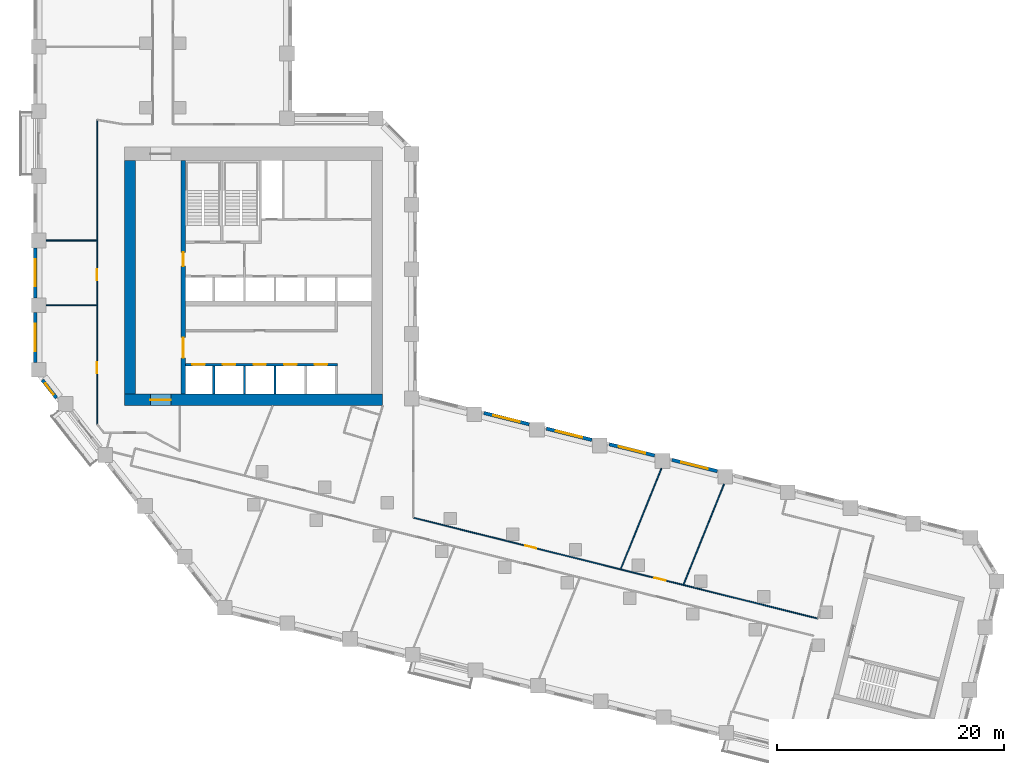
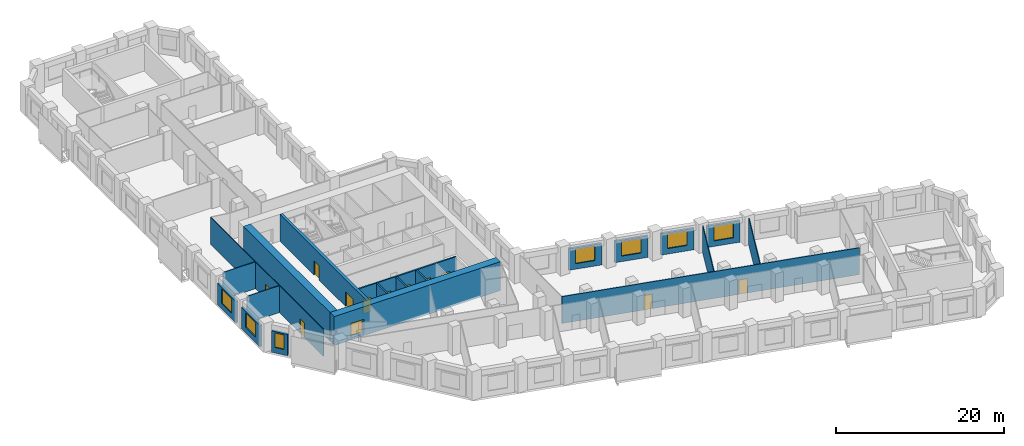
# One storey, part 4 of 10: 20 walls, 12 doors, 7 windows, 19 openings.
"""IFC4 building model written with IfcOpenShell, lengths in metres."""

from ifc_helpers import new_model, si_unit, direction, frame, frame_2d, origin, place, context, subcontext, project, spatial, rectangle, extrude, material, layer, layer_set, type_object, element, fill, save


model = new_model("IFC4")

# Units and contexts
model_context = context("Model", 3, precision=1e-05, world=origin(), true_north=direction((0.0, 1.0)))
body_context = subcontext(model_context, "Body", "Model", "MODEL_VIEW")
ifc_project = project(units=[si_unit("LENGTHUNIT", "METRE"), si_unit("AREAUNIT", "SQUARE_METRE"), si_unit("VOLUMEUNIT", "CUBIC_METRE"), si_unit("PLANEANGLEUNIT", "RADIAN"), si_unit("MASSUNIT", "GRAM", prefix="KILO")], contexts=[model_context])

# Site, building, storey
site_placement = place(None, origin())
site = spatial("IfcSite", under=ifc_project, at=site_placement, CompositionType="ELEMENT")
building_placement = place(site_placement, origin())
building = spatial("IfcBuilding", under=site, at=building_placement, Name="Meshkara Civic Tower", CompositionType="ELEMENT")
storey_placement = place(building_placement, frame((0.0, 0.0, 126.60009765625)))
storey = spatial("IfcBuildingStorey", under=building, at=storey_placement, Name="L28", CompositionType="ELEMENT", Elevation=126.60009765625)

# Wall, opening, door
ifc_material_1 = material(Name="Concrete C70", Category="concrete")
ifc_layer_1 = layer(ifc_material_1, 1.0)
ifc_layer_set_1 = layer_set([ifc_layer_1], Name="Core ring wall 1000 C70")
wall_type_1 = type_object("IfcWallType", Name="Core ring wall 1000 C70", PredefinedType="SHEAR", material=ifc_layer_set_1)
wall_1_placement = place(storey_placement, frame((8.0, 14.60009765625, -0.300048828125), z_axis=(0.0, 0.0, 1.0), x_axis=(1.0, 0.0, 0.0)))
wall_1 = element("IfcWall", 1, at=wall_1_placement, inside=storey, type_object=wall_type_1, Name="L28-C001", PredefinedType="SHEAR", context=body_context, shape_type="SweptSolid", body=[
    extrude(rectangle(XDim=22.800048828125, YDim=1.0, at=frame_2d((11.39990234375, 0.0))), origin(), (0.0, 0.0, 1.0), 4.199951171875),
])
opening_1_placement = place(wall_1_placement, frame((2.300048828125, 0.0, 0.300048828125)))
opening_1 = element("IfcOpeningElement", 2, at=opening_1_placement, cuts=wall_1, Name="Opening L28-K020", PredefinedType="OPENING", context=body_context, shape_type="SweptSolid", body=[
    extrude(rectangle(XDim=1.800048828125, YDim=2.10009765625, at=frame_2d((0.89990234375, 1.050048828125))), frame((0.0, 0.510009765625, 0.0), z_axis=(0.0, -1.0, 0.0), x_axis=(1.0, 0.0, 0.0)), (0.0, 0.0, 1.0), 1.02001953125),
])
ifc_material_2 = material(Name="Fire-rated door leaf in steel frame", Category="steel")
door_type_1 = type_object("IfcDoorType", Name="Core double door 1800 EI 60", OperationType="DOUBLE_DOOR_SINGLE_SWING", PredefinedType="DOOR", material=ifc_material_2)
door_1_placement = place(opening_1_placement, origin())
door_1 = element("IfcDoor", 3, at=door_1_placement, inside=storey, type_object=door_type_1, Name="L28-K020", OperationType="DOUBLE_DOOR_SINGLE_SWING", OverallHeight=2.10009765625, OverallWidth=1.800048828125, PredefinedType="DOOR", context=body_context, shape_type="SweptSolid", body=[
    extrude(rectangle(XDim=1.800048828125, YDim=2.10009765625, at=frame_2d((0.89990234375, 1.050048828125))), frame((0.0, 0.02490234375, 0.0), z_axis=(0.0, -1.0, 0.0), x_axis=(1.0, 0.0, 0.0)), (0.0, 0.0, 1.0), 0.050048828125),
])
fill(opening_1, door_1)

# Wall
wall_2_placement = place(storey_placement, frame((8.5, 15.10009765625, -0.300048828125), z_axis=(0.0, 0.0, 1.0), x_axis=(0.0, 1.0, 0.0)))
element("IfcWall", 4, at=wall_2_placement, inside=storey, type_object=wall_type_1, Name="L28-C003", PredefinedType="SHEAR", context=body_context, shape_type="SweptSolid", body=[
    extrude(rectangle(XDim=20.599853515625, YDim=1.0, at=frame_2d((10.2998046875, 0.0))), origin(), (0.0, 0.0, 1.0), 4.199951171875),
])

# Wall, openings, doors
ifc_material_3 = material(Name="Concrete C70", Category="concrete")
ifc_layer_2 = layer(ifc_material_3, 0.39990234375)
ifc_layer_set_2 = layer_set([ifc_layer_2], Name="Core shear wall 400 C70")
wall_type_2 = type_object("IfcWallType", Name="Core shear wall 400 C70", PredefinedType="SHEAR", material=ifc_layer_set_2)
wall_3_placement = place(storey_placement, frame((13.199951171875, 15.10009765625, 0.0), z_axis=(0.0, 0.0, 1.0), x_axis=(0.0, 1.0, 0.0)))
wall_3 = element("IfcWall", 5, at=wall_3_placement, inside=storey, type_object=wall_type_2, Name="L28-C011", PredefinedType="SHEAR", context=body_context, shape_type="SweptSolid", body=[
    extrude(rectangle(XDim=20.599853515625, YDim=0.39990234375, at=frame_2d((10.2998046875, 0.0))), origin(), (0.0, 0.0, 1.0), 3.89990234375),
])
opening_2_placement = place(wall_3_placement, frame((3.199951171875, 0.0, 0.0)))
opening_2 = element("IfcOpeningElement", 6, at=opening_2_placement, cuts=wall_3, Name="Opening L28-K016", PredefinedType="OPENING", context=body_context, shape_type="SweptSolid", body=[
    extrude(rectangle(XDim=1.800048828125, YDim=2.10009765625, at=frame_2d((0.89990234375, 1.050048828125))), frame((0.0, 0.2099609375, 0.0), z_axis=(0.0, -1.0, 0.0), x_axis=(1.0, 0.0, 0.0)), (0.0, 0.0, 1.0), 0.419921875),
])
opening_3_placement = place(wall_3_placement, frame((11.300048828125, 0.0, 0.0)))
opening_3 = element("IfcOpeningElement", 7, at=opening_3_placement, cuts=wall_3, Name="Opening L28-K017", PredefinedType="OPENING", context=body_context, shape_type="SweptSolid", body=[
    extrude(rectangle(XDim=1.199951171875, YDim=2.10009765625, at=frame_2d((0.60009765625, 1.050048828125))), frame((0.0, 0.2099609375, 0.0), z_axis=(0.0, -1.0, 0.0), x_axis=(1.0, 0.0, 0.0)), (0.0, 0.0, 1.0), 0.419921875),
])
door_2_placement = place(opening_2_placement, origin())
door_2 = element("IfcDoor", 8, at=door_2_placement, inside=storey, type_object=door_type_1, Name="L28-K016", OperationType="DOUBLE_DOOR_SINGLE_SWING", OverallHeight=2.10009765625, OverallWidth=1.800048828125, PredefinedType="DOOR", context=body_context, shape_type="SweptSolid", body=[
    extrude(rectangle(XDim=1.800048828125, YDim=2.10009765625, at=frame_2d((0.89990234375, 1.050048828125))), frame((0.0, 0.02490234375, 0.0), z_axis=(0.0, -1.0, 0.0), x_axis=(1.0, 0.0, 0.0)), (0.0, 0.0, 1.0), 0.050048828125),
])
fill(opening_2, door_2)
ifc_material_4 = material(Name="Fire-rated door leaf in steel frame", Category="steel")
door_type_2 = type_object("IfcDoorType", Name="Fire-fighting lobby door 1200 EI 120", OperationType="SINGLE_SWING_LEFT", PredefinedType="DOOR", material=ifc_material_4)
door_3_placement = place(opening_3_placement, origin())
door_3 = element("IfcDoor", 9, at=door_3_placement, inside=storey, type_object=door_type_2, Name="L28-K017", OperationType="SINGLE_SWING_LEFT", OverallHeight=2.10009765625, OverallWidth=1.199951171875, PredefinedType="DOOR", context=body_context, shape_type="SweptSolid", body=[
    extrude(rectangle(XDim=1.199951171875, YDim=2.10009765625, at=frame_2d((0.60009765625, 1.050048828125))), frame((0.0, 0.02490234375, 0.0), z_axis=(0.0, -1.0, 0.0), x_axis=(1.0, 0.0, 0.0)), (0.0, 0.0, 1.0), 0.050048828125),
])
fill(opening_3, door_3)

ifc_material_5 = material(Name="Corridor wall 100")
ifc_layer_3 = layer(ifc_material_5, 0.10009765625)
ifc_layer_set_3 = layer_set([ifc_layer_3], Name="Corridor wall 100")
wall_type_3 = type_object("IfcWallType", Name="Corridor wall 100", PredefinedType="PARTITIONING", material=ifc_layer_set_3)
wall_4_placement = place(storey_placement, frame((5.60009765625, 12.449951171875, 0.0), z_axis=(0.0, 0.0, 1.0), x_axis=(0.0, 1.0, 0.0)))
wall_4 = element("IfcWall", 10, at=wall_4_placement, inside=storey, type_object=wall_type_3, Name="L28-W003", PredefinedType="PARTITIONING", context=body_context, shape_type="SweptSolid", body=[
    extrude(rectangle(XDim=26.85009765625, YDim=0.10009765625, at=frame_2d((13.425048828125, 0.0))), origin(), (0.0, 0.0, 1.0), 3.89990234375),
])
opening_4_placement = place(wall_4_placement, frame((4.47998046875, 0.0, 0.0)))
opening_4 = element("IfcOpeningElement", 11, at=opening_4_placement, cuts=wall_4, Name="Opening L28-D016", PredefinedType="OPENING", context=body_context, shape_type="SweptSolid", body=[
    extrude(rectangle(XDim=1.0, YDim=2.10009765625, at=frame_2d((0.5, 1.050048828125))), frame((0.0, 0.06005859375, 0.0), z_axis=(0.0, -1.0, 0.0), x_axis=(1.0, 0.0, 0.0)), (0.0, 0.0, 1.0), 0.1201171875),
])
opening_5_placement = place(wall_4_placement, frame((12.68505859375, 0.0, 0.0)))
opening_5 = element("IfcOpeningElement", 12, at=opening_5_placement, cuts=wall_4, Name="Opening L28-D018", PredefinedType="OPENING", context=body_context, shape_type="SweptSolid", body=[
    extrude(rectangle(XDim=1.0, YDim=2.10009765625, at=frame_2d((0.5, 1.050048828125))), frame((0.0, 0.06005859375, 0.0), z_axis=(0.0, -1.0, 0.0), x_axis=(1.0, 0.0, 0.0)), (0.0, 0.0, 1.0), 0.1201171875),
])
ifc_material_6 = material(Name="Door 1000 x 2100")
door_type_3 = type_object("IfcDoorType", Name="Door 1000 x 2100", OperationType="SINGLE_SWING_LEFT", PredefinedType="DOOR", material=ifc_material_6)
door_4_placement = place(opening_4_placement, origin())
door_4 = element("IfcDoor", 13, at=door_4_placement, inside=storey, type_object=door_type_3, Name="L28-D016", OperationType="SINGLE_SWING_LEFT", OverallHeight=2.10009765625, OverallWidth=1.0, PredefinedType="DOOR", context=body_context, shape_type="SweptSolid", body=[
    extrude(rectangle(XDim=1.0, YDim=2.10009765625, at=frame_2d((0.5, 1.050048828125))), frame((0.0, 0.02490234375, 0.0), z_axis=(0.0, -1.0, 0.0), x_axis=(1.0, 0.0, 0.0)), (0.0, 0.0, 1.0), 0.050048828125),
])
fill(opening_4, door_4)
door_5_placement = place(opening_5_placement, origin())
door_5 = element("IfcDoor", 14, at=door_5_placement, inside=storey, type_object=door_type_3, Name="L28-D018", OperationType="SINGLE_SWING_LEFT", OverallHeight=2.10009765625, OverallWidth=1.0, PredefinedType="DOOR", context=body_context, shape_type="SweptSolid", body=[
    extrude(rectangle(XDim=1.0, YDim=2.10009765625, at=frame_2d((0.5, 1.050048828125))), frame((0.0, 0.02490234375, 0.0), z_axis=(0.0, -1.0, 0.0), x_axis=(1.0, 0.0, 0.0)), (0.0, 0.0, 1.0), 0.050048828125),
])
fill(opening_5, door_5)

wall_5_placement = place(storey_placement, frame((33.5, 4.2041015625, 0.0), z_axis=(0.0, 0.0, 1.0), x_axis=(0.970297694708, -0.241914000513, 0.0)))
wall_5 = element("IfcWall", 15, at=wall_5_placement, inside=storey, type_object=wall_type_3, Name="L28-W022", PredefinedType="PARTITIONING", context=body_context, shape_type="SweptSolid", body=[
    extrude(rectangle(XDim=36.782470703125, YDim=0.10009765625, at=frame_2d((18.39111328125, 0.0))), origin(), (0.0, 0.0, 1.0), 3.89990234375),
])
opening_6_placement = place(wall_5_placement, frame((21.924072265625, 0.0, 0.0)))
opening_6 = element("IfcOpeningElement", 16, at=opening_6_placement, cuts=wall_5, Name="Opening L28-D004", PredefinedType="OPENING", context=body_context, shape_type="SweptSolid", body=[
    extrude(rectangle(XDim=1.0, YDim=2.10009765625, at=frame_2d((0.5, 1.050048828125))), frame((0.0, 0.06005859375, 0.0), z_axis=(0.0, -1.0, 0.0), x_axis=(1.0, 0.0, 0.0)), (0.0, 0.0, 1.0), 0.1201171875),
])
opening_7_placement = place(wall_5_placement, frame((10.179931640625, 0.0, 0.0)))
opening_7 = element("IfcOpeningElement", 17, at=opening_7_placement, cuts=wall_5, Name="Opening L28-D009", PredefinedType="OPENING", context=body_context, shape_type="SweptSolid", body=[
    extrude(rectangle(XDim=1.0, YDim=2.10009765625, at=frame_2d((0.5, 1.050048828125))), frame((0.0, 0.06005859375, 0.0), z_axis=(0.0, -1.0, 0.0), x_axis=(1.0, 0.0, 0.0)), (0.0, 0.0, 1.0), 0.1201171875),
])
door_6_placement = place(opening_6_placement, origin())
door_6 = element("IfcDoor", 18, at=door_6_placement, inside=storey, type_object=door_type_3, Name="L28-D004", OperationType="SINGLE_SWING_RIGHT", OverallHeight=2.10009765625, OverallWidth=1.0, PredefinedType="DOOR", context=body_context, shape_type="SweptSolid", body=[
    extrude(rectangle(XDim=1.0, YDim=2.10009765625, at=frame_2d((0.5, 1.050048828125))), frame((0.0, 0.02490234375, 0.0), z_axis=(0.0, -1.0, 0.0), x_axis=(1.0, 0.0, 0.0)), (0.0, 0.0, 1.0), 0.050048828125),
])
fill(opening_6, door_6)
door_7_placement = place(opening_7_placement, origin())
door_7 = element("IfcDoor", 19, at=door_7_placement, inside=storey, type_object=door_type_3, Name="L28-D009", OperationType="SINGLE_SWING_RIGHT", OverallHeight=2.10009765625, OverallWidth=1.0, PredefinedType="DOOR", context=body_context, shape_type="SweptSolid", body=[
    extrude(rectangle(XDim=1.0, YDim=2.10009765625, at=frame_2d((0.5, 1.050048828125))), frame((0.0, 0.02490234375, 0.0), z_axis=(0.0, -1.0, 0.0), x_axis=(1.0, 0.0, 0.0)), (0.0, 0.0, 1.0), 0.050048828125),
])
fill(opening_7, door_7)

# Wall, opening, window
ifc_material_7 = material(Name="Insulated infill panel with bronze anodised aluminium cladding", Category="aluminium")
ifc_layer_4 = layer(ifc_material_7, 0.300048828125)
ifc_layer_set_4 = layer_set([ifc_layer_4], Name="EXTERNAL INFILL WALL 300")
wall_type_4 = type_object("IfcWallType", Name="EXTERNAL INFILL WALL 300", PredefinedType="SOLIDWALL", material=ifc_layer_set_4)
wall_6_placement = place(storey_placement, frame((60.31103515625, 8.305908203125, 0.0), z_axis=(0.0, 0.0, 1.0), x_axis=(-0.970267747908, 0.242034083076, 0.0)))
wall_6 = element("IfcWall", 20, at=wall_6_placement, inside=storey, type_object=wall_type_4, Name="External wall", PredefinedType="SOLIDWALL", context=body_context, shape_type="SweptSolid", body=[
    extrude(rectangle(XDim=4.12353515625, YDim=0.300048828125, at=frame_2d((2.061767578125, 0.0))), origin(), (0.0, 0.0, 1.0), 3.099853515625),
])
opening_8_placement = place(wall_6_placement, frame((0.862060546875, 0.0, 0.800048828125)))
opening_8 = element("IfcOpeningElement", 21, at=opening_8_placement, cuts=wall_6, Name="Opening W7", PredefinedType="OPENING", context=body_context, shape_type="SweptSolid", body=[
    extrude(rectangle(XDim=2.39990234375, YDim=2.10009765625, at=frame_2d((1.199951171875, 1.050048828125))), frame((0.0, 0.159912109375, 0.0), z_axis=(0.0, -1.0, 0.0), x_axis=(1.0, 0.0, 0.0)), (0.0, 0.0, 1.0), 0.320068359375),
])
ifc_material_8 = material(Name="Tinted double glazing", Category="glass")
window_type_1 = type_object("IfcWindowType", Name="WINDOW 2400x2100", PartitioningType="DOUBLE_PANEL_VERTICAL", PredefinedType="WINDOW", material=ifc_material_8)
window_1_placement = place(opening_8_placement, origin())
window_1 = element("IfcWindow", 22, at=window_1_placement, inside=storey, type_object=window_type_1, Name="Window", OverallHeight=2.10009765625, OverallWidth=2.39990234375, PartitioningType="DOUBLE_PANEL_VERTICAL", PredefinedType="WINDOW", context=body_context, shape_type="SweptSolid", body=[
    extrude(rectangle(XDim=2.39990234375, YDim=2.10009765625, at=frame_2d((1.199951171875, 1.050048828125))), frame((0.0, 0.030029296875, 0.0), z_axis=(0.0, -1.0, 0.0), x_axis=(1.0, 0.0, 0.0)), (0.0, 0.0, 1.0), 0.06005859375),
])
fill(opening_8, window_1)

wall_7_placement = place(storey_placement, frame((54.781005859375, 9.68505859375, 0.0), z_axis=(0.0, 0.0, 1.0), x_axis=(-0.970281616392, 0.241978480223, 0.0)))
wall_7 = element("IfcWall", 23, at=wall_7_placement, inside=storey, type_object=wall_type_4, Name="External wall", PredefinedType="SOLIDWALL", context=body_context, shape_type="SweptSolid", body=[
    extrude(rectangle(XDim=4.12451171875, YDim=0.300048828125, at=frame_2d((2.062255859375, 0.0))), origin(), (0.0, 0.0, 1.0), 3.099853515625),
])
opening_9_placement = place(wall_7_placement, frame((0.862060546875, 0.0, 0.800048828125)))
opening_9 = element("IfcOpeningElement", 24, at=opening_9_placement, cuts=wall_7, Name="Opening W7", PredefinedType="OPENING", context=body_context, shape_type="SweptSolid", body=[
    extrude(rectangle(XDim=2.39990234375, YDim=2.10009765625, at=frame_2d((1.199951171875, 1.050048828125))), frame((0.0, 0.159912109375, 0.0), z_axis=(0.0, -1.0, 0.0), x_axis=(1.0, 0.0, 0.0)), (0.0, 0.0, 1.0), 0.320068359375),
])
window_2_placement = place(opening_9_placement, origin())
window_2 = element("IfcWindow", 25, at=window_2_placement, inside=storey, type_object=window_type_1, Name="Window", OverallHeight=2.10009765625, OverallWidth=2.39990234375, PartitioningType="DOUBLE_PANEL_VERTICAL", PredefinedType="WINDOW", context=body_context, shape_type="SweptSolid", body=[
    extrude(rectangle(XDim=2.39990234375, YDim=2.10009765625, at=frame_2d((1.199951171875, 1.050048828125))), frame((0.0, 0.030029296875, 0.0), z_axis=(0.0, -1.0, 0.0), x_axis=(1.0, 0.0, 0.0)), (0.0, 0.0, 1.0), 0.06005859375),
])
fill(opening_9, window_2)

wall_8_placement = place(storey_placement, frame((49.25, 11.06396484375, 0.0), z_axis=(0.0, 0.0, 1.0), x_axis=(-0.970281616392, 0.241978480223, 0.0)))
wall_8 = element("IfcWall", 26, at=wall_8_placement, inside=storey, type_object=wall_type_4, Name="External wall", PredefinedType="SOLIDWALL", context=body_context, shape_type="SweptSolid", body=[
    extrude(rectangle(XDim=4.12451171875, YDim=0.300048828125, at=frame_2d((2.062255859375, 0.0))), origin(), (0.0, 0.0, 1.0), 3.099853515625),
])
opening_10_placement = place(wall_8_placement, frame((0.862060546875, 0.0, 0.800048828125)))
opening_10 = element("IfcOpeningElement", 27, at=opening_10_placement, cuts=wall_8, Name="Opening W7", PredefinedType="OPENING", context=body_context, shape_type="SweptSolid", body=[
    extrude(rectangle(XDim=2.39990234375, YDim=2.10009765625, at=frame_2d((1.199951171875, 1.050048828125))), frame((0.0, 0.159912109375, 0.0), z_axis=(0.0, -1.0, 0.0), x_axis=(1.0, 0.0, 0.0)), (0.0, 0.0, 1.0), 0.320068359375),
])
window_3_placement = place(opening_10_placement, origin())
window_3 = element("IfcWindow", 28, at=window_3_placement, inside=storey, type_object=window_type_1, Name="Window", OverallHeight=2.10009765625, OverallWidth=2.39990234375, PartitioningType="DOUBLE_PANEL_VERTICAL", PredefinedType="WINDOW", context=body_context, shape_type="SweptSolid", body=[
    extrude(rectangle(XDim=2.39990234375, YDim=2.10009765625, at=frame_2d((1.199951171875, 1.050048828125))), frame((0.0, 0.030029296875, 0.0), z_axis=(0.0, -1.0, 0.0), x_axis=(1.0, 0.0, 0.0)), (0.0, 0.0, 1.0), 0.06005859375),
])
fill(opening_10, window_3)

wall_9_placement = place(storey_placement, frame((43.718994140625, 12.443115234375, 0.0), z_axis=(0.0, 0.0, 1.0), x_axis=(-0.970281650314, 0.241978344205, 0.0)))
wall_9 = element("IfcWall", 29, at=wall_9_placement, inside=storey, type_object=wall_type_4, Name="External wall", PredefinedType="SOLIDWALL", context=body_context, shape_type="SweptSolid", body=[
    extrude(rectangle(XDim=4.12353515625, YDim=0.300048828125, at=frame_2d((2.061767578125, 0.0))), origin(), (0.0, 0.0, 1.0), 3.099853515625),
])
opening_11_placement = place(wall_9_placement, frame((0.862060546875, 0.0, 0.800048828125)))
opening_11 = element("IfcOpeningElement", 30, at=opening_11_placement, cuts=wall_9, Name="Opening W7", PredefinedType="OPENING", context=body_context, shape_type="SweptSolid", body=[
    extrude(rectangle(XDim=2.39990234375, YDim=2.10009765625, at=frame_2d((1.199951171875, 1.050048828125))), frame((0.0, 0.159912109375, 0.0), z_axis=(0.0, -1.0, 0.0), x_axis=(1.0, 0.0, 0.0)), (0.0, 0.0, 1.0), 0.320068359375),
])
window_4_placement = place(opening_11_placement, origin())
window_4 = element("IfcWindow", 31, at=window_4_placement, inside=storey, type_object=window_type_1, Name="Window", OverallHeight=2.10009765625, OverallWidth=2.39990234375, PartitioningType="DOUBLE_PANEL_VERTICAL", PredefinedType="WINDOW", context=body_context, shape_type="SweptSolid", body=[
    extrude(rectangle(XDim=2.39990234375, YDim=2.10009765625, at=frame_2d((1.199951171875, 1.050048828125))), frame((0.0, 0.030029296875, 0.0), z_axis=(0.0, -1.0, 0.0), x_axis=(1.0, 0.0, 0.0)), (0.0, 0.0, 1.0), 0.06005859375),
])
fill(opening_11, window_4)

wall_10_placement = place(storey_placement, frame((0.14990234375, 28.0048828125, 0.0), z_axis=(0.0, 0.0, 1.0), x_axis=(0.0, -1.0, 0.0)))
wall_10 = element("IfcWall", 32, at=wall_10_placement, inside=storey, type_object=wall_type_4, Name="External wall", PredefinedType="SOLIDWALL", context=body_context, shape_type="SweptSolid", body=[
    extrude(rectangle(XDim=4.39990234375, YDim=0.300048828125, at=frame_2d((2.199951171875, 0.0))), origin(), (0.0, 0.0, 1.0), 3.099853515625),
])
opening_12_placement = place(wall_10_placement, frame((1.0, 0.0, 0.800048828125)))
opening_12 = element("IfcOpeningElement", 33, at=opening_12_placement, cuts=wall_10, Name="Opening W7", PredefinedType="OPENING", context=body_context, shape_type="SweptSolid", body=[
    extrude(rectangle(XDim=2.39990234375, YDim=2.10009765625, at=frame_2d((1.199951171875, 1.050048828125))), frame((0.0, 0.159912109375, 0.0), z_axis=(0.0, -1.0, 0.0), x_axis=(1.0, 0.0, 0.0)), (0.0, 0.0, 1.0), 0.320068359375),
])
window_5_placement = place(opening_12_placement, origin())
window_5 = element("IfcWindow", 34, at=window_5_placement, inside=storey, type_object=window_type_1, Name="Window", OverallHeight=2.10009765625, OverallWidth=2.39990234375, PartitioningType="DOUBLE_PANEL_VERTICAL", PredefinedType="WINDOW", context=body_context, shape_type="SweptSolid", body=[
    extrude(rectangle(XDim=2.39990234375, YDim=2.10009765625, at=frame_2d((1.199951171875, 1.050048828125))), frame((0.0, 0.030029296875, 0.0), z_axis=(0.0, -1.0, 0.0), x_axis=(1.0, 0.0, 0.0)), (0.0, 0.0, 1.0), 0.06005859375),
])
fill(opening_12, window_5)

wall_11_placement = place(storey_placement, frame((0.14990234375, 22.304931640625, 0.0), z_axis=(0.0, 0.0, 1.0), x_axis=(0.0, -1.0, 0.0)))
wall_11 = element("IfcWall", 35, at=wall_11_placement, inside=storey, type_object=wall_type_4, Name="External wall", PredefinedType="SOLIDWALL", context=body_context, shape_type="SweptSolid", body=[
    extrude(rectangle(XDim=4.39990234375, YDim=0.300048828125, at=frame_2d((2.199951171875, 0.0))), origin(), (0.0, 0.0, 1.0), 3.099853515625),
])
opening_13_placement = place(wall_11_placement, frame((1.0, 0.0, 0.800048828125)))
opening_13 = element("IfcOpeningElement", 36, at=opening_13_placement, cuts=wall_11, Name="Opening W7", PredefinedType="OPENING", context=body_context, shape_type="SweptSolid", body=[
    extrude(rectangle(XDim=2.39990234375, YDim=2.10009765625, at=frame_2d((1.199951171875, 1.050048828125))), frame((0.0, 0.159912109375, 0.0), z_axis=(0.0, -1.0, 0.0), x_axis=(1.0, 0.0, 0.0)), (0.0, 0.0, 1.0), 0.320068359375),
])
window_6_placement = place(opening_13_placement, origin())
window_6 = element("IfcWindow", 37, at=window_6_placement, inside=storey, type_object=window_type_1, Name="Window", OverallHeight=2.10009765625, OverallWidth=2.39990234375, PartitioningType="DOUBLE_PANEL_VERTICAL", PredefinedType="WINDOW", context=body_context, shape_type="SweptSolid", body=[
    extrude(rectangle(XDim=2.39990234375, YDim=2.10009765625, at=frame_2d((1.199951171875, 1.050048828125))), frame((0.0, 0.030029296875, 0.0), z_axis=(0.0, -1.0, 0.0), x_axis=(1.0, 0.0, 0.0)), (0.0, 0.0, 1.0), 0.06005859375),
])
fill(opening_13, window_6)

wall_12_placement = place(storey_placement, frame((0.77490234375, 16.35107421875, 0.0), z_axis=(0.0, 0.0, 1.0), x_axis=(0.6157921118, -0.787908671766, 0.0)))
wall_12 = element("IfcWall", 38, at=wall_12_placement, inside=storey, type_object=wall_type_4, Name="External wall", PredefinedType="SOLIDWALL", context=body_context, shape_type="SweptSolid", body=[
    extrude(rectangle(XDim=2.015625, YDim=0.300048828125, at=frame_2d((1.0078125, 0.0))), origin(), (0.0, 0.0, 1.0), 3.099853515625),
])
opening_14_placement = place(wall_12_placement, frame((0.407958984375, 0.0, 0.800048828125)))
opening_14 = element("IfcOpeningElement", 39, at=opening_14_placement, cuts=wall_12, Name="Opening W3", PredefinedType="OPENING", context=body_context, shape_type="SweptSolid", body=[
    extrude(rectangle(XDim=1.199951171875, YDim=2.10009765625, at=frame_2d((0.60009765625, 1.050048828125))), frame((0.0, 0.159912109375, 0.0), z_axis=(0.0, -1.0, 0.0), x_axis=(1.0, 0.0, 0.0)), (0.0, 0.0, 1.0), 0.320068359375),
])
ifc_material_9 = material(Name="Tinted double glazing", Category="glass")
window_type_2 = type_object("IfcWindowType", Name="WINDOW 1200x2100", PartitioningType="SINGLE_PANEL", PredefinedType="WINDOW", material=ifc_material_9)
window_7_placement = place(opening_14_placement, origin())
window_7 = element("IfcWindow", 40, at=window_7_placement, inside=storey, type_object=window_type_2, Name="Window", OverallHeight=2.10009765625, OverallWidth=1.199951171875, PartitioningType="SINGLE_PANEL", PredefinedType="WINDOW", context=body_context, shape_type="SweptSolid", body=[
    extrude(rectangle(XDim=1.199951171875, YDim=2.10009765625, at=frame_2d((0.60009765625, 1.050048828125))), frame((0.0, 0.030029296875, 0.0), z_axis=(0.0, -1.0, 0.0), x_axis=(1.0, 0.0, 0.0)), (0.0, 0.0, 1.0), 0.06005859375),
])
fill(opening_14, window_7)

# Walls
ifc_material_10 = material(Name="Partition 100")
ifc_layer_5 = layer(ifc_material_10, 0.10009765625)
ifc_layer_set_5 = layer_set([ifc_layer_5], Name="Partition 100")
wall_type_5 = type_object("IfcWallType", Name="Partition 100", PredefinedType="PARTITIONING", material=ifc_layer_set_5)
for number, where, z_axis, x_axis, name in (
    (41, (5.550048828125, 22.955078125, 0.0), (0.0, 0.0, 1.0), (-1.0, 0.0, 0.0), "L28-W033"),
    (42, (5.550048828125, 28.655029296875, 0.0), (0.0, 0.0, 1.0), (-1.0, 0.0, 0.0), "L28-W034"),
):
    element("IfcWall", number, at=place(storey_placement, frame(where, z_axis=z_axis, x_axis=x_axis)), inside=storey, type_object=wall_type_5, Name=name, PredefinedType="PARTITIONING", context=body_context, shape_type="SweptSolid", body=[
        extrude(rectangle(XDim=4.449951171875, YDim=0.10009765625, at=frame_2d((2.22509765625, 0.0))), origin(), (0.0, 0.0, 1.0), 3.89990234375),
    ])
wall_13_placement = place(storey_placement, frame((51.805908203125, -0.301025390625, 0.0), z_axis=(0.0, 0.0, 1.0), x_axis=(0.374597469954, 0.927187540633, 0.0)))
element("IfcWall", 43, at=wall_13_placement, inside=storey, type_object=wall_type_5, Name="L28-W049", PredefinedType="PARTITIONING", context=body_context, shape_type="SweptSolid", body=[
    extrude(rectangle(XDim=9.54931640625, YDim=0.10009765625, at=frame_2d((4.774658203125, 0.0))), origin(), (0.0, 0.0, 1.0), 3.89990234375),
])
wall_14_placement = place(storey_placement, frame((57.3369140625, -1.679931640625, 0.0), z_axis=(0.0, 0.0, 1.0), x_axis=(0.374509549879, 0.927223056793, 0.0)))
element("IfcWall", 44, at=wall_14_placement, inside=storey, type_object=wall_type_5, Name="L28-W050", PredefinedType="PARTITIONING", context=body_context, shape_type="SweptSolid", body=[
    extrude(rectangle(XDim=9.548828125, YDim=0.10009765625, at=frame_2d((4.7744140625, 0.0))), origin(), (0.0, 0.0, 1.0), 3.89990234375),
])

# Wall, openings, doors
ifc_material_11 = material(Name="Concrete C40/50", Category="concrete")
ifc_layer_6 = layer(ifc_material_11, 0.199951171875)
ifc_layer_set_6 = layer_set([ifc_layer_6], Name="Shaft wall 200 C40/50")
wall_type_6 = type_object("IfcWallType", Name="Shaft wall 200 C40/50", PredefinedType="SOLIDWALL", material=ifc_layer_set_6)
wall_15_placement = place(storey_placement, frame((13.39990234375, 17.699951171875, 0.0), z_axis=(0.0, 0.0, 1.0), x_axis=(1.0, 0.0, 0.0)))
wall_15 = element("IfcWall", 45, at=wall_15_placement, inside=storey, type_object=wall_type_6, Name="L28-C005", PredefinedType="SOLIDWALL", context=body_context, shape_type="SweptSolid", body=[
    extrude(rectangle(XDim=13.400146484375, YDim=0.199951171875, at=frame_2d((6.7001953125, 0.0))), origin(), (0.0, 0.0, 1.0), 3.89990234375),
])
opening_15_placement = place(wall_15_placement, frame((0.60009765625, 0.0, 0.0)))
opening_15 = element("IfcOpeningElement", 46, at=opening_15_placement, cuts=wall_15, Name="Opening L28-K001", PredefinedType="OPENING", context=body_context, shape_type="SweptSolid", body=[
    extrude(rectangle(XDim=1.10009765625, YDim=2.10009765625, at=frame_2d((0.550048828125, 1.050048828125))), frame((0.0, 0.10986328125, 0.0), z_axis=(0.0, -1.0, 0.0), x_axis=(1.0, 0.0, 0.0)), (0.0, 0.0, 1.0), 0.219970703125),
])
opening_16_placement = place(wall_15_placement, frame((3.300048828125, 0.0, 0.0)))
opening_16 = element("IfcOpeningElement", 47, at=opening_16_placement, cuts=wall_15, Name="Opening L28-K002", PredefinedType="OPENING", context=body_context, shape_type="SweptSolid", body=[
    extrude(rectangle(XDim=1.10009765625, YDim=2.10009765625, at=frame_2d((0.550048828125, 1.050048828125))), frame((0.0, 0.10986328125, 0.0), z_axis=(0.0, -1.0, 0.0), x_axis=(1.0, 0.0, 0.0)), (0.0, 0.0, 1.0), 0.219970703125),
])
opening_17_placement = place(wall_15_placement, frame((6.0, 0.0, 0.0)))
opening_17 = element("IfcOpeningElement", 48, at=opening_17_placement, cuts=wall_15, Name="Opening L28-K003", PredefinedType="OPENING", context=body_context, shape_type="SweptSolid", body=[
    extrude(rectangle(XDim=1.10009765625, YDim=2.10009765625, at=frame_2d((0.550048828125, 1.050048828125))), frame((0.0, 0.10986328125, 0.0), z_axis=(0.0, -1.0, 0.0), x_axis=(1.0, 0.0, 0.0)), (0.0, 0.0, 1.0), 0.219970703125),
])
opening_18_placement = place(wall_15_placement, frame((8.699951171875, 0.0, 0.0)))
opening_18 = element("IfcOpeningElement", 49, at=opening_18_placement, cuts=wall_15, Name="Opening L28-K004", PredefinedType="OPENING", context=body_context, shape_type="SweptSolid", body=[
    extrude(rectangle(XDim=1.10009765625, YDim=2.10009765625, at=frame_2d((0.550048828125, 1.050048828125))), frame((0.0, 0.10986328125, 0.0), z_axis=(0.0, -1.0, 0.0), x_axis=(1.0, 0.0, 0.0)), (0.0, 0.0, 1.0), 0.219970703125),
])
opening_19_placement = place(wall_15_placement, frame((11.39990234375, 0.0, 0.0)))
opening_19 = element("IfcOpeningElement", 50, at=opening_19_placement, cuts=wall_15, Name="Opening L28-K005", PredefinedType="OPENING", context=body_context, shape_type="SweptSolid", body=[
    extrude(rectangle(XDim=1.10009765625, YDim=2.10009765625, at=frame_2d((0.550048828125, 1.050048828125))), frame((0.0, 0.10986328125, 0.0), z_axis=(0.0, -1.0, 0.0), x_axis=(1.0, 0.0, 0.0)), (0.0, 0.0, 1.0), 0.219970703125),
])
ifc_material_12 = material(Name="Stainless steel landing door", Category="steel")
door_type_4 = type_object("IfcDoorType", Name="Lift landing door 1100", OperationType="SLIDING_TO_LEFT", PredefinedType="DOOR", material=ifc_material_12)
door_8_placement = place(opening_15_placement, origin())
door_8 = element("IfcDoor", 51, at=door_8_placement, inside=storey, type_object=door_type_4, Name="L28-K001", OperationType="SLIDING_TO_LEFT", OverallHeight=2.10009765625, OverallWidth=1.10009765625, PredefinedType="DOOR", context=body_context, shape_type="SweptSolid", body=[
    extrude(rectangle(XDim=1.10009765625, YDim=2.10009765625, at=frame_2d((0.550048828125, 1.050048828125))), frame((0.0, 0.02490234375, 0.0), z_axis=(0.0, -1.0, 0.0), x_axis=(1.0, 0.0, 0.0)), (0.0, 0.0, 1.0), 0.050048828125),
])
fill(opening_15, door_8)
door_9_placement = place(opening_16_placement, origin())
door_9 = element("IfcDoor", 52, at=door_9_placement, inside=storey, type_object=door_type_4, Name="L28-K002", OperationType="SLIDING_TO_LEFT", OverallHeight=2.10009765625, OverallWidth=1.10009765625, PredefinedType="DOOR", context=body_context, shape_type="SweptSolid", body=[
    extrude(rectangle(XDim=1.10009765625, YDim=2.10009765625, at=frame_2d((0.550048828125, 1.050048828125))), frame((0.0, 0.02490234375, 0.0), z_axis=(0.0, -1.0, 0.0), x_axis=(1.0, 0.0, 0.0)), (0.0, 0.0, 1.0), 0.050048828125),
])
fill(opening_16, door_9)
door_10_placement = place(opening_17_placement, origin())
door_10 = element("IfcDoor", 53, at=door_10_placement, inside=storey, type_object=door_type_4, Name="L28-K003", OperationType="SLIDING_TO_LEFT", OverallHeight=2.10009765625, OverallWidth=1.10009765625, PredefinedType="DOOR", context=body_context, shape_type="SweptSolid", body=[
    extrude(rectangle(XDim=1.10009765625, YDim=2.10009765625, at=frame_2d((0.550048828125, 1.050048828125))), frame((0.0, 0.02490234375, 0.0), z_axis=(0.0, -1.0, 0.0), x_axis=(1.0, 0.0, 0.0)), (0.0, 0.0, 1.0), 0.050048828125),
])
fill(opening_17, door_10)
door_11_placement = place(opening_18_placement, origin())
door_11 = element("IfcDoor", 54, at=door_11_placement, inside=storey, type_object=door_type_4, Name="L28-K004", OperationType="SLIDING_TO_LEFT", OverallHeight=2.10009765625, OverallWidth=1.10009765625, PredefinedType="DOOR", context=body_context, shape_type="SweptSolid", body=[
    extrude(rectangle(XDim=1.10009765625, YDim=2.10009765625, at=frame_2d((0.550048828125, 1.050048828125))), frame((0.0, 0.02490234375, 0.0), z_axis=(0.0, -1.0, 0.0), x_axis=(1.0, 0.0, 0.0)), (0.0, 0.0, 1.0), 0.050048828125),
])
fill(opening_18, door_11)
door_12_placement = place(opening_19_placement, origin())
door_12 = element("IfcDoor", 55, at=door_12_placement, inside=storey, type_object=door_type_4, Name="L28-K005", OperationType="SLIDING_TO_LEFT", OverallHeight=2.10009765625, OverallWidth=1.10009765625, PredefinedType="DOOR", context=body_context, shape_type="SweptSolid", body=[
    extrude(rectangle(XDim=1.10009765625, YDim=2.10009765625, at=frame_2d((0.550048828125, 1.050048828125))), frame((0.0, 0.02490234375, 0.0), z_axis=(0.0, -1.0, 0.0), x_axis=(1.0, 0.0, 0.0)), (0.0, 0.0, 1.0), 0.050048828125),
])
fill(opening_19, door_12)

# Walls
for number, where, z_axis, x_axis, name in (
    (56, (15.89990234375, 15.10009765625, 0.0), (0.0, 0.0, 1.0), (0.0, 1.0, 0.0), "L28-C012"),
    (57, (18.60009765625, 15.10009765625, 0.0), (0.0, 0.0, 1.0), (0.0, 1.0, 0.0), "L28-C015"),
    (58, (21.300048828125, 15.10009765625, 0.0), (0.0, 0.0, 1.0), (0.0, 1.0, 0.0), "L28-C018"),
):
    element("IfcWall", number, at=place(storey_placement, frame(where, z_axis=z_axis, x_axis=x_axis)), inside=storey, type_object=wall_type_6, Name=name, PredefinedType="SOLIDWALL", context=body_context, shape_type="SweptSolid", body=[
        extrude(rectangle(XDim=2.5, YDim=0.199951171875, at=frame_2d((1.25, 0.0))), origin(), (0.0, 0.0, 1.0), 3.89990234375),
    ])

save(model, "model.ifc")
